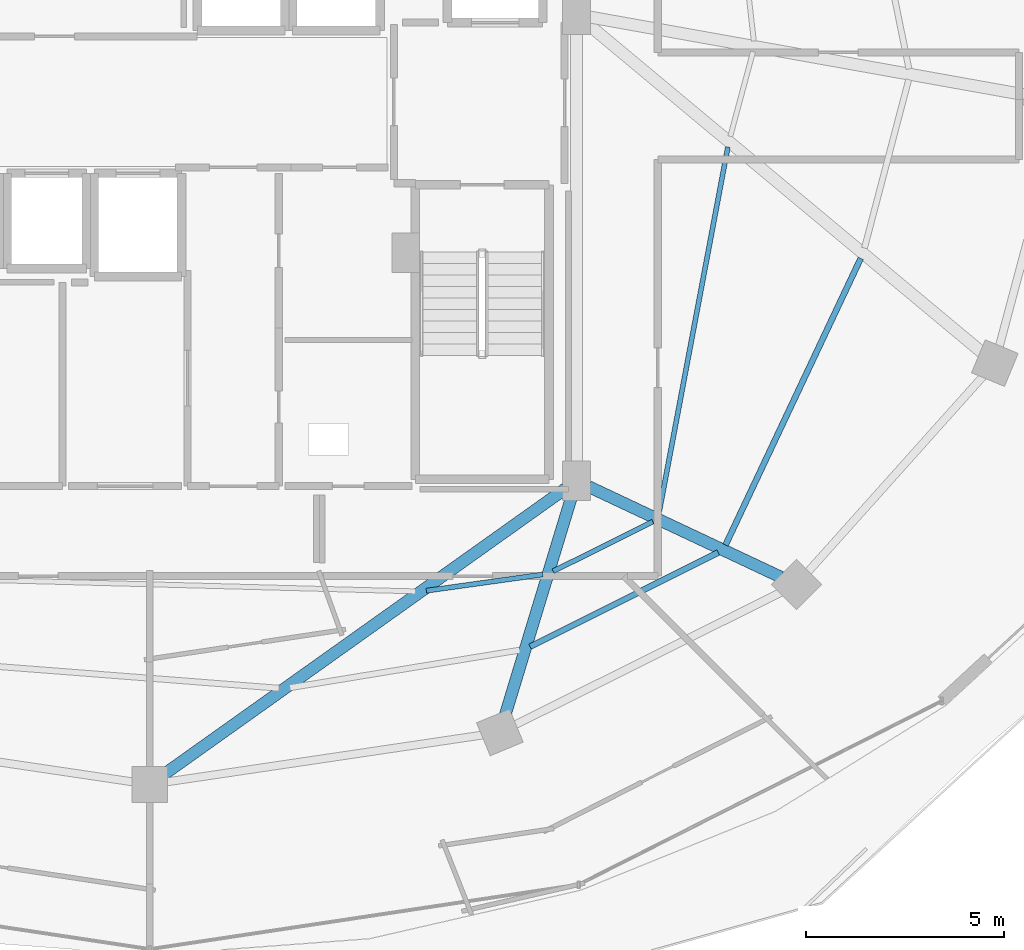
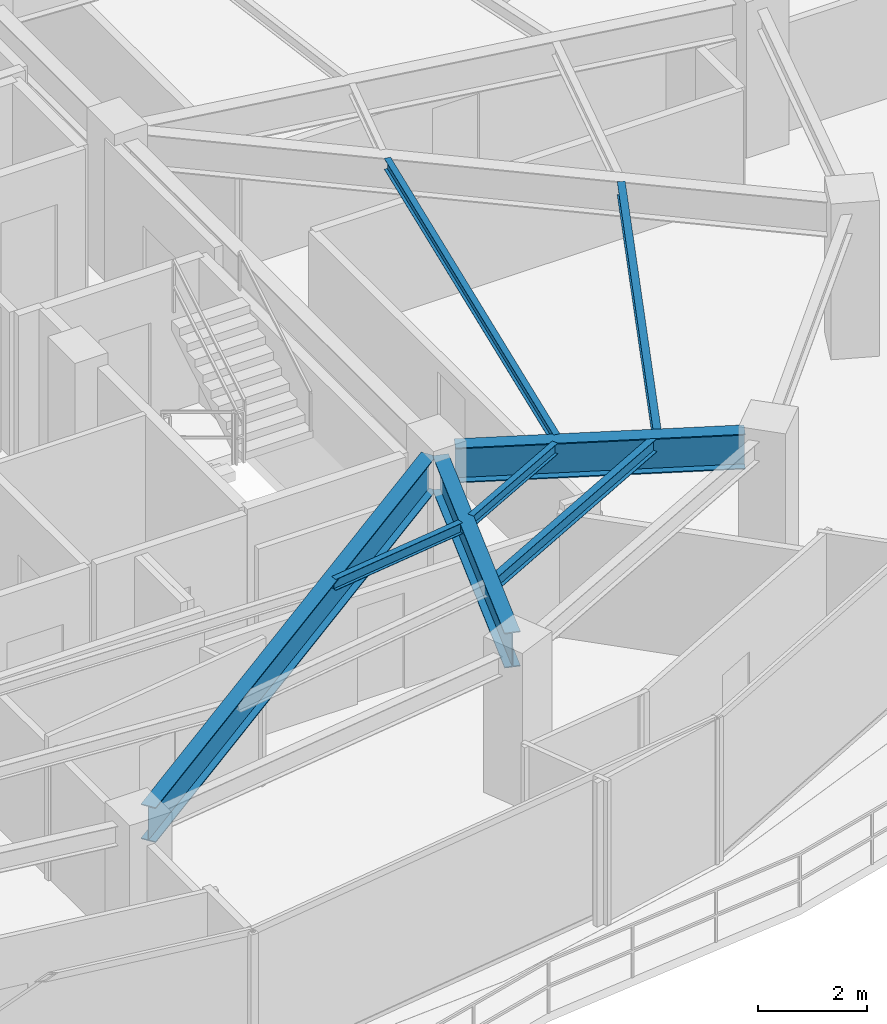
# One storey, part 12 of 33: 8 beams.
"""IFC4 building model written with IfcOpenShell, lengths in metres."""

from ifc_helpers import new_model, si_unit, direction, frame, origin, origin_2d, place, context, subcontext, project, spatial, i_section, extrude, material, material_profile, profile_set, type_object, element, save


model = new_model("IFC4")

# Units and contexts
model_context = context("Model", 3, precision=1e-05, world=origin(), true_north=direction((0.0, 1.0)))
body_context = subcontext(model_context, "Body", "Model", "MODEL_VIEW")
ifc_project = project(units=[si_unit("LENGTHUNIT", "METRE"), si_unit("AREAUNIT", "SQUARE_METRE"), si_unit("VOLUMEUNIT", "CUBIC_METRE"), si_unit("PLANEANGLEUNIT", "RADIAN"), si_unit("MASSUNIT", "GRAM", prefix="KILO")], contexts=[model_context])

# Site, building, storey
site_placement = place(None, origin())
site = spatial("IfcSite", under=ifc_project, at=site_placement, CompositionType="ELEMENT")
building_placement = place(site_placement, origin())
building = spatial("IfcBuilding", under=site, at=building_placement, Name="Vorneva Point Tower", CompositionType="ELEMENT")
storey_placement = place(building_placement, frame((0.0, 0.0, 196.60009765625)))
storey = spatial("IfcBuildingStorey", under=building, at=storey_placement, Name="L53", CompositionType="ELEMENT", Elevation=196.60009765625)

# Beams
ifc_material = material(Name="Steel S355", Category="steel")
ifc_material_profile_1 = material_profile(ifc_material, i_section(OverallWidth=0.300048828125, OverallDepth=0.7880859375, WebThickness=0.014404296875, FlangeThickness=0.02197265625, at=origin_2d()), Name="80Sh1")
ifc_profile_set_1 = profile_set([ifc_material_profile_1], Name="Steel S355")
beam_type_1 = type_object("IfcBeamType", Name="BM-GRD-80Sh1", PredefinedType="USERDEFINED", material=ifc_profile_set_1)
beam_1_placement = place(storey_placement, frame((38.35693359375, 9.053955078125, 2.845947265625), z_axis=(0.814749933852, 0.579812508737, 0.0), x_axis=(-0.579812508737, 0.814749933852, 0.0)))
element("IfcBeam", 1, at=beam_1_placement, inside=storey, type_object=beam_type_1, Name="L53 Radial Primary Girder 13", ObjectType="GIRDER", PredefinedType="USERDEFINED", context=body_context, shape_type="SweptSolid", body=[
    extrude(i_section(OverallWidth=0.300048828125, OverallDepth=0.7880859375, WebThickness=0.014404296875, FlangeThickness=0.02197265625, at=origin_2d()), origin(), (0.0, 0.0, 1.0), 12.416015625),
])
beam_2_placement = place(storey_placement, frame((46.948486328125, 10.5283203125, 2.845947265625), z_axis=(0.291025429135, 0.956715317948, 0.0), x_axis=(-0.956715317948, 0.291025429135, 0.0)))
element("IfcBeam", 2, at=beam_2_placement, inside=storey, type_object=beam_type_1, Name="L53 Radial Primary Girder 14", ObjectType="GIRDER", PredefinedType="USERDEFINED", context=body_context, shape_type="SweptSolid", body=[
    extrude(i_section(OverallWidth=0.300048828125, OverallDepth=0.7880859375, WebThickness=0.014404296875, FlangeThickness=0.02197265625, at=origin_2d()), origin(), (0.0, 0.0, 1.0), 5.849609375),
])
beam_3_placement = place(storey_placement, frame((53.902587890625, 14.0244140625, 2.845947265625), z_axis=(-0.904762899762, 0.42591559635, 0.0), x_axis=(-0.42591559635, -0.904762899762, 0.0)))
element("IfcBeam", 3, at=beam_3_placement, inside=storey, type_object=beam_type_1, Name="L53 Radial Primary Girder 15", ObjectType="GIRDER", PredefinedType="USERDEFINED", context=body_context, shape_type="SweptSolid", body=[
    extrude(i_section(OverallWidth=0.300048828125, OverallDepth=0.7880859375, WebThickness=0.014404296875, FlangeThickness=0.02197265625, at=origin_2d()), origin(), (0.0, 0.0, 1.0), 5.35498046875),
])
ifc_material_profile_2 = material_profile(ifc_material, i_section(OverallWidth=0.1240234375, OverallDepth=0.248046875, WebThickness=0.0048828125, FlangeThickness=0.008056640625, at=origin_2d()), Name="25B1")
ifc_profile_set_2 = profile_set([ifc_material_profile_2], Name="Steel S355")
beam_type_2 = type_object("IfcBeamType", Name="BM-JST-25B1", PredefinedType="JOIST", material=ifc_profile_set_2)
beam_4_placement = place(storey_placement, frame((44.968017578125, 13.680419921875, 3.115966796875), z_axis=(0.990354192347, 0.138558917797, 0.0), x_axis=(-0.138558917797, 0.990354192347, 0.0)))
element("IfcBeam", 4, at=beam_4_placement, inside=storey, type_object=beam_type_2, Name="L53 Secondary Floor Beam 2.13", PredefinedType="JOIST", context=body_context, shape_type="SweptSolid", body=[
    extrude(i_section(OverallWidth=0.1240234375, OverallDepth=0.248046875, WebThickness=0.0048828125, FlangeThickness=0.008056640625, at=origin_2d()), origin(), (0.0, 0.0, 1.0), 2.9619140625),
])
beam_5_placement = place(storey_placement, frame((48.16162109375, 14.17138671875, 3.115966796875), z_axis=(0.895432586212, 0.445197128865, 0.0), x_axis=(-0.445197128865, 0.895432586212, 0.0)))
element("IfcBeam", 5, at=beam_5_placement, inside=storey, type_object=beam_type_2, Name="L53 Secondary Floor Beam 2.14", PredefinedType="JOIST", context=body_context, shape_type="SweptSolid", body=[
    extrude(i_section(OverallWidth=0.1240234375, OverallDepth=0.248046875, WebThickness=0.0048828125, FlangeThickness=0.008056640625, at=origin_2d()), origin(), (0.0, 0.0, 1.0), 2.810546875),
])
beam_6_placement = place(storey_placement, frame((50.827392578125, 15.61962890625, 3.115966796875), z_axis=(0.184913715459, 0.982754759762, 0.0), x_axis=(-0.982754759762, 0.184913715459, 0.0)))
element("IfcBeam", 6, at=beam_6_placement, inside=storey, type_object=beam_type_2, Name="L53 Secondary Floor Beam 2.15", PredefinedType="JOIST", context=body_context, shape_type="SweptSolid", body=[
    extrude(i_section(OverallWidth=0.1240234375, OverallDepth=0.248046875, WebThickness=0.0048828125, FlangeThickness=0.008056640625, at=origin_2d()), origin(), (0.0, 0.0, 1.0), 9.406982421875),
])
ifc_material_profile_3 = material_profile(ifc_material, i_section(OverallWidth=0.14892578125, OverallDepth=0.298095703125, WebThickness=0.005615234375, FlangeThickness=0.008056640625, at=origin_2d()), Name="30B1")
ifc_profile_set_3 = profile_set([ifc_material_profile_3], Name="Steel S355")
beam_type_3 = type_object("IfcBeamType", Name="BM-JST-30B1", PredefinedType="JOIST", material=ifc_profile_set_3)
beam_7_placement = place(storey_placement, frame((47.58251953125, 12.26904296875, 3.0908203125), z_axis=(0.893966574165, 0.448133645552, 0.0), x_axis=(-0.448133645552, 0.893966574165, 0.0)))
element("IfcBeam", 7, at=beam_7_placement, inside=storey, type_object=beam_type_3, Name="L53 Secondary Floor Beam 1.14", PredefinedType="JOIST", context=body_context, shape_type="SweptSolid", body=[
    extrude(i_section(OverallWidth=0.14892578125, OverallDepth=0.298095703125, WebThickness=0.005615234375, FlangeThickness=0.008056640625, at=origin_2d()), origin(), (0.0, 0.0, 1.0), 5.3056640625),
])
beam_8_placement = place(storey_placement, frame((52.5078125, 14.83349609375, 3.0908203125), z_axis=(0.426607826977, 0.90443670976, 0.0), x_axis=(-0.90443670976, 0.426607826977, 0.0)))
element("IfcBeam", 8, at=beam_8_placement, inside=storey, type_object=beam_type_3, Name="L53 Secondary Floor Beam 1.15", PredefinedType="JOIST", context=body_context, shape_type="SweptSolid", body=[
    extrude(i_section(OverallWidth=0.14892578125, OverallDepth=0.298095703125, WebThickness=0.005615234375, FlangeThickness=0.008056640625, at=origin_2d()), origin(), (0.0, 0.0, 1.0), 7.988525390625),
])

save(model, "model.ifc")
